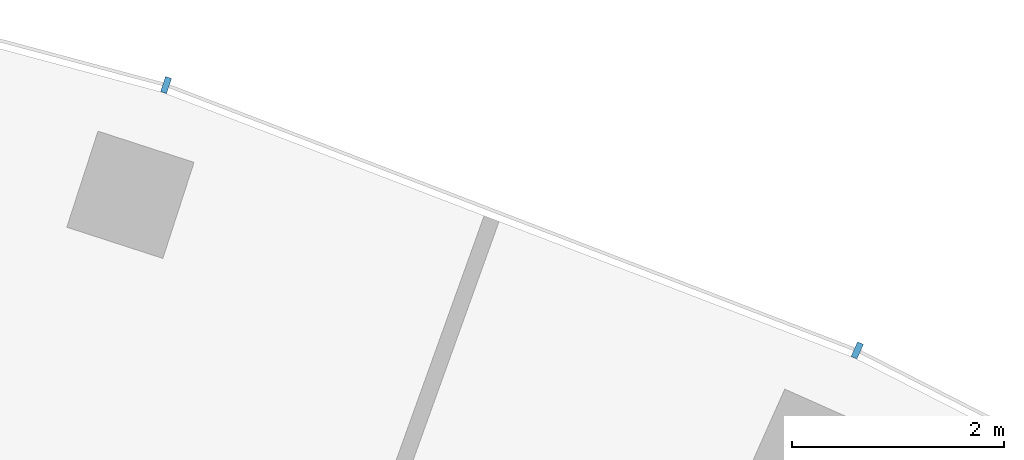
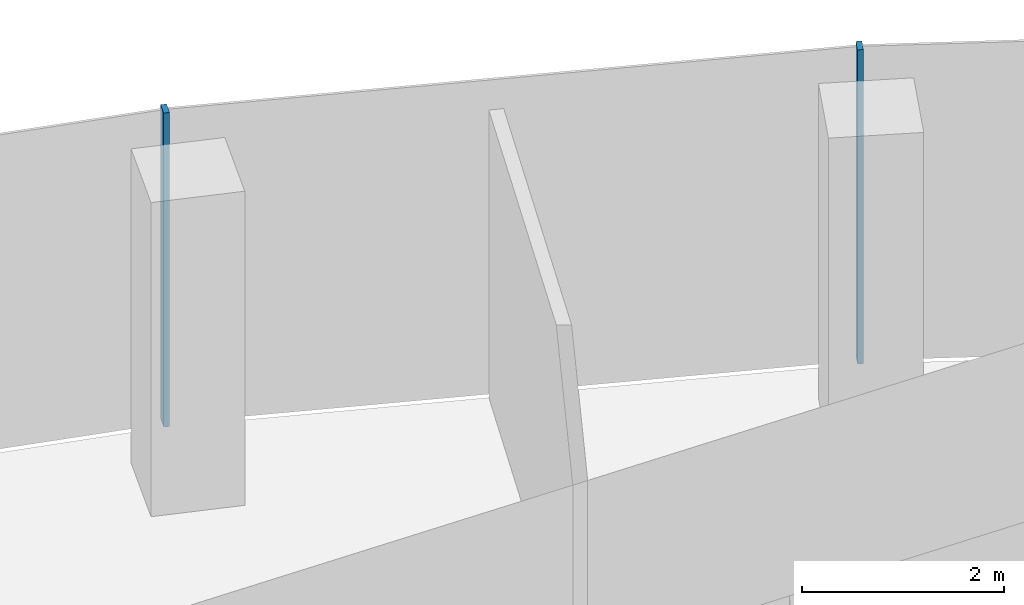
# One storey, part 9 of 19: 2 members, 1 element without a shape of its own.
"""IFC4 building model written with IfcOpenShell, lengths in metres."""

from ifc_helpers import new_model, si_unit, direction, frame, origin, origin_2d, place, context, subcontext, project, spatial, rectangle, extrude, material, layer, layer_set, material_profile, profile_set, type_object, element, aggregate, save


model = new_model("IFC4")

# Units and contexts
model_context = context("Model", 3, precision=1e-05, world=origin(), true_north=direction((0.0, 1.0)))
body_context = subcontext(model_context, "Body", "Model", "MODEL_VIEW")
ifc_project = project(units=[si_unit("LENGTHUNIT", "METRE"), si_unit("AREAUNIT", "SQUARE_METRE"), si_unit("VOLUMEUNIT", "CUBIC_METRE"), si_unit("PLANEANGLEUNIT", "RADIAN"), si_unit("MASSUNIT", "GRAM", prefix="KILO")], contexts=[model_context])

# Site, building, storey
site_placement = place(None, origin())
site = spatial("IfcSite", under=ifc_project, at=site_placement, CompositionType="ELEMENT")
building_placement = place(site_placement, origin())
building = spatial("IfcBuilding", under=site, at=building_placement, Name="Stone Belt Terrace Tower", CompositionType="ELEMENT")
storey_placement = place(building_placement, frame((0.0, 0.0, 204.800048828125)))
storey = spatial("IfcBuildingStorey", under=building, at=storey_placement, Name="L49", CompositionType="ELEMENT", Elevation=204.800048828125)

# Curtain wall, members
ifc_material = material(Name="Aluminium 6063-T6 anodised frame", Category="aluminium")
ifc_layer = layer(ifc_material, 0.14990234375)
ifc_layer_set = layer_set([ifc_layer], Name="CW-A unitised convex-face curtain wall")
curtain_wall_type = type_object("IfcCurtainWallType", Name="CW-A unitised convex-face curtain wall", PredefinedType="NOTDEFINED", material=ifc_layer_set)
curtain_wall_placement = place(storey_placement, origin())
curtain_wall = element("IfcCurtainWall", 1, at=curtain_wall_placement, inside=storey, type_object=curtain_wall_type, Name="CW-A convex face L49", PredefinedType="NOTDEFINED")
ifc_material_profile = material_profile(ifc_material, rectangle(XDim=0.14990234375, YDim=0.06005859375, at=origin_2d()), Name="Aluminium 6063-T6 60x150")
ifc_profile_set = profile_set([ifc_material_profile], Name="Aluminium 6063-T6 anodised frame")
member_type = type_object("IfcMemberType", Name="CW-A mullion 60 x 150", PredefinedType="MULLION", material=ifc_profile_set)
member_1_placement = place(storey_placement, frame((27.07861328125, 60.8193359375, 0.0), z_axis=(0.0, 0.0, 1.0), x_axis=(-0.406736643076, -0.913545457643, 0.0)))
member_1 = element("IfcMember", 2, at=member_1_placement, type_object=member_type, Name="CW-A mullion 5", PredefinedType="MULLION", context=body_context, shape_type="SweptSolid", body=[
    extrude(rectangle(XDim=0.14990234375, YDim=0.06005859375, at=origin_2d()), origin(), (0.0, 0.0, 1.0), 3.800048828125),
])
member_2_placement = place(storey_placement, frame((20.57275390625, 63.316650390625, 0.0), z_axis=(0.0, 0.0, 1.0), x_axis=(-0.309016994375, -0.951056516295, 0.0)))
member_2 = element("IfcMember", 3, at=member_2_placement, type_object=member_type, Name="CW-A mullion 6", PredefinedType="MULLION", context=body_context, shape_type="SweptSolid", body=[
    extrude(rectangle(XDim=0.14990234375, YDim=0.06005859375, at=origin_2d()), origin(), (0.0, 0.0, 1.0), 3.800048828125),
])
aggregate(curtain_wall, [member_1, member_2])

save(model, "model.ifc")
